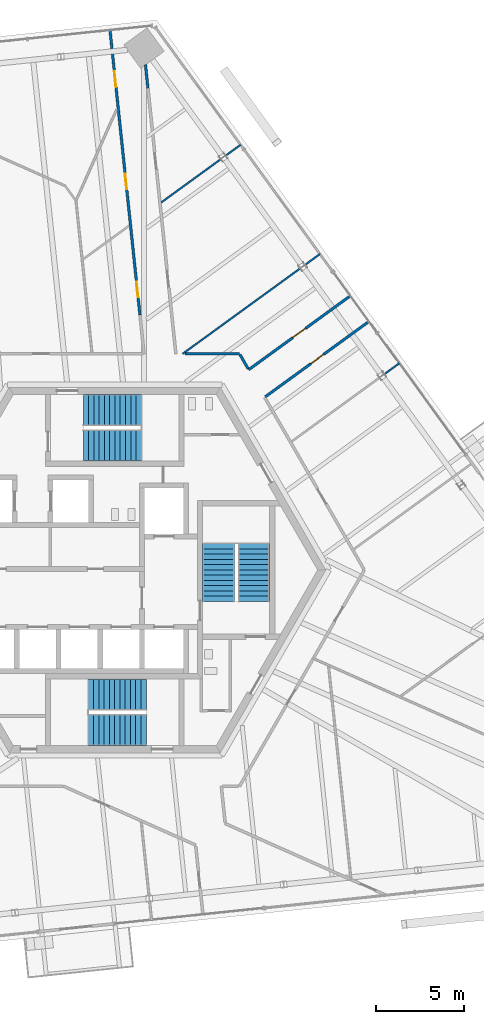
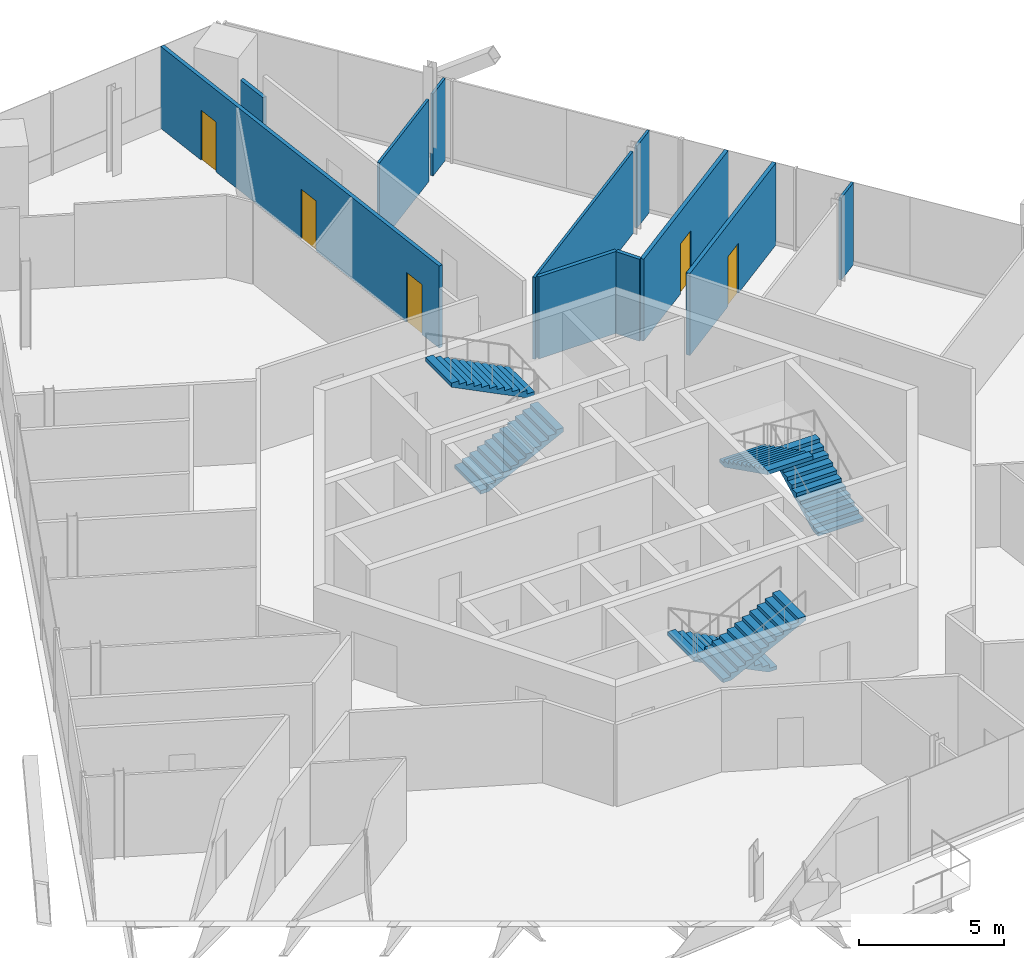
# One storey, part 15 of 19: 11 walls, 6 stair flights, 5 doors, 5 openings, 3 elements without a shape of their own.
"""IFC4 building model written with IfcOpenShell, lengths in metres."""

from ifc_helpers import new_model, si_unit, direction, frame, frame_2d, origin, place, context, subcontext, project, spatial, polyline, rectangle, outline, extrude, source, transform, mapped, material, layer, layer_set, type_object, element, fill, aggregate, save


model = new_model("IFC4")

# Units and contexts
model_context = context("Model", 3, precision=1e-05, world=origin(), true_north=direction((0.0, 1.0)))
body_context = subcontext(model_context, "Body", "Model", "MODEL_VIEW")
ifc_project = project(units=[si_unit("LENGTHUNIT", "METRE"), si_unit("AREAUNIT", "SQUARE_METRE"), si_unit("VOLUMEUNIT", "CUBIC_METRE"), si_unit("PLANEANGLEUNIT", "RADIAN"), si_unit("MASSUNIT", "GRAM", prefix="KILO")], contexts=[model_context])

# Site, building, storey
site_placement = place(None, origin())
site = spatial("IfcSite", under=ifc_project, at=site_placement, CompositionType="ELEMENT")
building_placement = place(site_placement, origin())
building = spatial("IfcBuilding", under=site, at=building_placement, Name="Triune Harvest Tower", CompositionType="ELEMENT")
storey_placement = place(building_placement, frame((0.0, 0.0, 223.300048828125)))
storey = spatial("IfcBuildingStorey", under=building, at=storey_placement, Name="L58", CompositionType="ELEMENT", Elevation=223.300048828125)

# Wall, openings, doors
ifc_material_1 = material(Name="Gypsum board on steel studs", Category="steel")
ifc_layer_1 = layer(ifc_material_1, 0.14990234375)
ifc_layer_set_1 = layer_set([ifc_layer_1], Name="Gypsum board on steel studs")
wall_type_1 = type_object("IfcWallType", Name="Fire Partition 150 mm", PredefinedType="PARTITIONING", material=ifc_layer_set_1)
wall_1_placement = place(storey_placement, frame((-0.270751953125, 30.701416015625, 0.0), z_axis=(0.0, 0.0, 1.0), x_axis=(0.104512308256, -0.994523593196, 0.0)))
wall_1 = element("IfcWall", 1, at=wall_1_placement, inside=storey, type_object=wall_type_1, Name="Partition L58 004", PredefinedType="PARTITIONING", context=body_context, shape_type="SweptSolid", body=[
    extrude(rectangle(XDim=16.2841796875, YDim=0.14990234375, at=frame_2d((8.14208984375, 0.0))), origin(), (0.0, 0.0, 1.0), 3.43994140625),
])
opening_1_placement = place(wall_1_placement, frame((14.37939453125, 0.0, 0.0)))
opening_1 = element("IfcOpeningElement", 2, at=opening_1_placement, cuts=wall_1, Name="Opening L58-006", PredefinedType="OPENING", context=body_context, shape_type="SweptSolid", body=[
    extrude(rectangle(XDim=0.89990234375, YDim=2.10009765625, at=frame_2d((0.449951171875, 1.050048828125))), frame((0.0, 0.0849609375, 0.0), z_axis=(0.0, -1.0, 0.0), x_axis=(1.0, 0.0, 0.0)), (0.0, 0.0, 1.0), 0.169921875),
])
opening_2_placement = place(wall_1_placement, frame((8.2021484375, 0.0, 0.0)))
opening_2 = element("IfcOpeningElement", 3, at=opening_2_placement, cuts=wall_1, Name="Opening L58-008", PredefinedType="OPENING", context=body_context, shape_type="SweptSolid", body=[
    extrude(rectangle(XDim=0.89990234375, YDim=2.10009765625, at=frame_2d((0.449951171875, 1.050048828125))), frame((0.0, 0.0849609375, 0.0), z_axis=(0.0, -1.0, 0.0), x_axis=(1.0, 0.0, 0.0)), (0.0, 0.0, 1.0), 0.169921875),
])
opening_3_placement = place(wall_1_placement, frame((2.35009765625, 0.0, 0.0)))
opening_3 = element("IfcOpeningElement", 4, at=opening_3_placement, cuts=wall_1, Name="Opening L58-010", PredefinedType="OPENING", context=body_context, shape_type="SweptSolid", body=[
    extrude(rectangle(XDim=0.89990234375, YDim=2.10009765625, at=frame_2d((0.449951171875, 1.050048828125))), frame((0.0, 0.0849609375, 0.0), z_axis=(0.0, -1.0, 0.0), x_axis=(1.0, 0.0, 0.0)), (0.0, 0.0, 1.0), 0.169921875),
])
ifc_material_2 = material(Name="Timber and steel door set", Category="steel")
door_type_1 = type_object("IfcDoorType", Name="Single leaf door FD30 left hand 900 x 2100", OperationType="SINGLE_SWING_LEFT", PredefinedType="DOOR", material=ifc_material_2)
door_1_placement = place(opening_1_placement, origin())
door_1 = element("IfcDoor", 5, at=door_1_placement, inside=storey, type_object=door_type_1, Name="Door L58-006 Open Office 58.06", OperationType="SINGLE_SWING_LEFT", OverallHeight=2.10009765625, OverallWidth=0.89990234375, PredefinedType="DOOR", context=body_context, shape_type="SweptSolid", body=[
    extrude(rectangle(XDim=0.89990234375, YDim=2.10009765625, at=frame_2d((0.449951171875, 1.050048828125))), frame((0.0, 0.02490234375, 0.0), z_axis=(0.0, -1.0, 0.0), x_axis=(1.0, 0.0, 0.0)), (0.0, 0.0, 1.0), 0.050048828125),
])
fill(opening_1, door_1)
ifc_material_3 = material(Name="Timber and steel door set", Category="steel")
door_type_2 = type_object("IfcDoorType", Name="Single leaf door FD30 right hand 900 x 2100", OperationType="SINGLE_SWING_RIGHT", PredefinedType="DOOR", material=ifc_material_3)
door_2_placement = place(opening_2_placement, origin())
door_2 = element("IfcDoor", 6, at=door_2_placement, inside=storey, type_object=door_type_2, Name="Door L58-008 Office 58.08", OperationType="SINGLE_SWING_RIGHT", OverallHeight=2.10009765625, OverallWidth=0.89990234375, PredefinedType="DOOR", context=body_context, shape_type="SweptSolid", body=[
    extrude(rectangle(XDim=0.89990234375, YDim=2.10009765625, at=frame_2d((0.449951171875, 1.050048828125))), frame((0.0, 0.02490234375, 0.0), z_axis=(0.0, -1.0, 0.0), x_axis=(1.0, 0.0, 0.0)), (0.0, 0.0, 1.0), 0.050048828125),
])
fill(opening_2, door_2)
door_3_placement = place(opening_3_placement, origin())
door_3 = element("IfcDoor", 7, at=door_3_placement, inside=storey, type_object=door_type_2, Name="Door L58-010 Project Room 58.10", OperationType="SINGLE_SWING_RIGHT", OverallHeight=2.10009765625, OverallWidth=0.89990234375, PredefinedType="DOOR", context=body_context, shape_type="SweptSolid", body=[
    extrude(rectangle(XDim=0.89990234375, YDim=2.10009765625, at=frame_2d((0.449951171875, 1.050048828125))), frame((0.0, 0.02490234375, 0.0), z_axis=(0.0, -1.0, 0.0), x_axis=(1.0, 0.0, 0.0)), (0.0, 0.0, 1.0), 0.050048828125),
])
fill(opening_3, door_3)

# Walls
wall_2_placement = place(storey_placement, frame((7.121826171875, 12.249267578125, 0.0), z_axis=(0.0, 0.0, 1.0), x_axis=(0.499813447764, -0.866133082981, 0.0)))
element("IfcWall", 8, at=wall_2_placement, inside=storey, type_object=wall_type_1, Name="Partition L58 011", PredefinedType="PARTITIONING", context=body_context, shape_type="SweptSolid", body=[
    extrude(rectangle(XDim=0.928955078125, YDim=0.14990234375, at=frame_2d((0.46435546875, 0.0))), origin(), (0.0, 0.0, 1.0), 3.43994140625),
])
ifc_material_4 = material(Name="Gypsum board on steel studs", Category="steel")
ifc_layer_2 = layer(ifc_material_4, 0.10009765625)
ifc_layer_set_2 = layer_set([ifc_layer_2], Name="Gypsum board on steel studs")
wall_type_2 = type_object("IfcWallType", Name="Partition 100 mm", PredefinedType="PARTITIONING", material=ifc_layer_set_2)
shared_shape_1 = source(origin(), body_context, "Body", "SweptSolid", [
    extrude(rectangle(XDim=4.189697265625, YDim=0.10009765625, at=frame_2d((2.0947265625, 0.0))), origin(), (0.0, 0.0, 1.0), 3.43994140625),
])
wall_3_placement = place(storey_placement, frame((2.646728515625, 20.90771484375, 0.0), z_axis=(0.0, 0.0, 1.0), x_axis=(0.809025763108, 0.587773182978, 0.0)))
element("IfcWall", 9, at=wall_3_placement, inside=storey, type_object=wall_type_2, Name="Partition L58 054", PredefinedType="PARTITIONING", context=body_context, shape_type="MappedRepresentation", body=[
    mapped(shared_shape_1, transform((0.0, 0.0, 0.0), scale=1.0)),
])
shared_shape_2 = source(origin(), body_context, "Body", "SweptSolid", [
    extrude(rectangle(XDim=1.0478515625, YDim=0.10009765625, at=frame_2d((0.52392578125, 0.0))), origin(), (0.0, 0.0, 1.0), 3.43994140625),
])
for number, where, z_axis, x_axis, name in (
    (10, (15.335205078125, 11.14208984375, 0.0), (0.0, 0.0, 1.0), (0.808967759712, 0.587853012025, 0.0), "Partition L58 045"),
    (11, (10.821533203125, 17.354736328125, 0.0), (0.0, 0.0, 1.0), (0.808967759712, 0.587853012025, 0.0), "Partition L58 052"),
    (12, (6.307861328125, 23.5673828125, 0.0), (0.0, 0.0, 1.0), (0.808967759712, 0.587853012025, 0.0), "Partition L58 055"),
):
    element("IfcWall", number, at=place(storey_placement, frame(where, z_axis=z_axis, x_axis=x_axis)), inside=storey, type_object=wall_type_2, Name=name, PredefinedType="PARTITIONING", context=body_context, shape_type="MappedRepresentation", body=[
        mapped(shared_shape_2, transform((0.0, 0.0, 0.0), scale=1.0)),
    ])
shared_shape_3 = source(origin(), body_context, "Body", "SweptSolid", [
    extrude(rectangle(XDim=1.342041015625, YDim=0.14990234375, at=frame_2d((0.6708984375, 0.0))), origin(), (0.0, 0.0, 1.0), 2.525634765625),
])
wall_4_placement = place(storey_placement, frame((1.744873046875, 28.7373046875, 0.0), z_axis=(0.0, 0.0, 1.0), x_axis=(0.104599559478, -0.994514420286, 0.0)))
element("IfcWall", 13, at=wall_4_placement, inside=storey, type_object=wall_type_1, Name="Partition L58 006", PredefinedType="PARTITIONING", context=body_context, shape_type="MappedRepresentation", body=[
    mapped(shared_shape_3, transform((0.0, 0.0, 0.0), scale=1.0)),
])
shared_shape_4 = source(origin(), body_context, "Body", "SweptSolid", [
    extrude(rectangle(XDim=8.277099609375, YDim=0.10009765625, at=frame_2d((4.138671875, 0.0))), origin(), (0.0, 0.0, 1.0), 3.43994140625),
])
wall_5_placement = place(storey_placement, frame((3.853759765625, 12.292236328125, 0.0), z_axis=(0.0, 0.0, 1.0), x_axis=(0.809011502535, 0.587792811088, 0.0)))
element("IfcWall", 14, at=wall_5_placement, inside=storey, type_object=wall_type_2, Name="Partition L58 051", PredefinedType="PARTITIONING", context=body_context, shape_type="MappedRepresentation", body=[
    mapped(shared_shape_4, transform((0.0, 0.0, 0.0), scale=1.0)),
])
shared_shape_5 = source(origin(), body_context, "Body", "SweptSolid", [
    extrude(rectangle(XDim=3.093017578125, YDim=0.14990234375, at=frame_2d((1.54638671875, 0.0))), origin(), (0.0, 0.0, 1.0), 3.43994140625),
])
wall_6_placement = place(storey_placement, frame((4.00390625, 12.292236328125, 0.0), z_axis=(0.0, 0.0, 1.0), x_axis=(1.0, 0.0, 0.0)))
element("IfcWall", 15, at=wall_6_placement, inside=storey, type_object=wall_type_1, Name="Partition L58 037", PredefinedType="PARTITIONING", context=body_context, shape_type="MappedRepresentation", body=[
    mapped(shared_shape_5, transform((0.0, 0.0, 0.0), scale=1.0)),
])

# Wall, opening, door
shared_shape_6 = source(origin(), body_context, "Body", "SweptSolid", [
    extrude(rectangle(XDim=7.284423828125, YDim=0.14990234375, at=frame_2d((3.64208984375, 0.0))), origin(), (0.0, 0.0, 1.0), 3.43994140625),
])
wall_7_placement = place(storey_placement, frame((8.56201171875, 9.8544921875, 0.0), z_axis=(0.0, 0.0, 1.0), x_axis=(0.809017155079, 0.587785031102, 0.0)))
wall_7 = element("IfcWall", 16, at=wall_7_placement, inside=storey, type_object=wall_type_1, Name="Partition L58 047", PredefinedType="PARTITIONING", context=body_context, shape_type="MappedRepresentation", body=[
    mapped(shared_shape_6, transform((0.0, 0.0, 0.0), scale=1.0)),
])
opening_4_placement = place(wall_7_placement, frame((3.199951171875, 0.0, 0.0)))
opening_4 = element("IfcOpeningElement", 17, at=opening_4_placement, cuts=wall_7, Name="Opening L58-005", PredefinedType="OPENING", context=body_context, shape_type="SweptSolid", body=[
    extrude(rectangle(XDim=0.89990234375, YDim=2.10009765625, at=frame_2d((0.449951171875, 1.050048828125))), frame((0.0, 0.0849609375, 0.0), z_axis=(0.0, -1.0, 0.0), x_axis=(1.0, 0.0, 0.0)), (0.0, 0.0, 1.0), 0.169921875),
])
door_4_placement = place(opening_4_placement, origin())
door_4 = element("IfcDoor", 18, at=door_4_placement, inside=storey, type_object=door_type_1, Name="Door L58-005 Office 58.05", OperationType="SINGLE_SWING_LEFT", OverallHeight=2.10009765625, OverallWidth=0.89990234375, PredefinedType="DOOR", context=body_context, shape_type="SweptSolid", body=[
    extrude(rectangle(XDim=0.89990234375, YDim=2.10009765625, at=frame_2d((0.449951171875, 1.050048828125))), frame((0.0, 0.02490234375, 0.0), z_axis=(0.0, -1.0, 0.0), x_axis=(1.0, 0.0, 0.0)), (0.0, 0.0, 1.0), 0.050048828125),
])
fill(opening_4, door_4)

shared_shape_7 = source(origin(), body_context, "Body", "SweptSolid", [
    extrude(rectangle(XDim=7.1455078125, YDim=0.14990234375, at=frame_2d((3.57275390625, 0.0))), origin(), (0.0, 0.0, 1.0), 3.43994140625),
])
wall_8_placement = place(storey_placement, frame((7.6162109375, 11.392578125, 0.0), z_axis=(0.0, 0.0, 1.0), x_axis=(0.809018196341, 0.587783597924, 0.0)))
wall_8 = element("IfcWall", 19, at=wall_8_placement, inside=storey, type_object=wall_type_1, Name="Partition L58 050", PredefinedType="PARTITIONING", context=body_context, shape_type="MappedRepresentation", body=[
    mapped(shared_shape_7, transform((0.0, 0.0, 0.0), scale=1.0)),
])
opening_5_placement = place(wall_8_placement, frame((3.095458984375, 0.0, 0.0)))
opening_5 = element("IfcOpeningElement", 20, at=opening_5_placement, cuts=wall_8, Name="Opening L58-004", PredefinedType="OPENING", context=body_context, shape_type="SweptSolid", body=[
    extrude(rectangle(XDim=0.89990234375, YDim=2.10009765625, at=frame_2d((0.449951171875, 1.050048828125))), frame((0.0, 0.0849609375, 0.0), z_axis=(0.0, -1.0, 0.0), x_axis=(1.0, 0.0, 0.0)), (0.0, 0.0, 1.0), 0.169921875),
])
door_5_placement = place(opening_5_placement, origin())
door_5 = element("IfcDoor", 21, at=door_5_placement, inside=storey, type_object=door_type_1, Name="Door L58-004 Meeting Room 58.04", OperationType="SINGLE_SWING_LEFT", OverallHeight=2.10009765625, OverallWidth=0.89990234375, PredefinedType="DOOR", context=body_context, shape_type="SweptSolid", body=[
    extrude(rectangle(XDim=0.89990234375, YDim=2.10009765625, at=frame_2d((0.449951171875, 1.050048828125))), frame((0.0, 0.02490234375, 0.0), z_axis=(0.0, -1.0, 0.0), x_axis=(1.0, 0.0, 0.0)), (0.0, 0.0, 1.0), 0.050048828125),
])
fill(opening_5, door_5)

# Stair, stair flights
ifc_material_5 = material(Name="Concrete 40 MPa", Category="concrete")
stair_type = type_object("IfcStairType", Name="Exit stair 1800 half turn", PredefinedType="HALF_TURN_STAIR", material=ifc_material_5)
stair_1_placement = place(storey_placement, origin())
stair_1 = element("IfcStair", 22, at=stair_1_placement, inside=storey, type_object=stair_type, Name="Exit stair north", PredefinedType="HALF_TURN_STAIR")
ifc_material_6 = material(Name="Concrete 40 MPa", Category="concrete")
stair_flight_type = type_object("IfcStairFlightType", Name="Stair flight 1800", PredefinedType="STRAIGHT", material=ifc_material_6)
shared_shape_8 = source(origin(), body_context, "Body", "SweptSolid", [
    extrude(outline(polyline([(0.0, 0.0), (0.0, 0.14990234375), (0.300048828125, 0.14990234375), (0.300048828125, 0.300048828125), (0.60009765625, 0.300048828125), (0.60009765625, 0.449951171875), (0.89990234375, 0.449951171875), (0.89990234375, 0.60009765625), (1.199951171875, 0.60009765625), (1.199951171875, 0.75), (1.5, 0.75), (1.5, 0.89990234375), (1.800048828125, 0.89990234375), (1.800048828125, 1.050048828125), (2.10009765625, 1.050048828125), (2.10009765625, 1.199951171875), (2.39990234375, 1.199951171875), (2.39990234375, 1.35009765625), (2.699951171875, 1.35009765625), (2.699951171875, 1.5), (3.0, 1.5), (3.0, 1.64990234375), (3.300048828125, 1.64990234375), (3.300048828125, 1.800048828125), (3.300048828125, 1.482421875), (0.335205078125, 0.0), (0.0, 0.0)])), frame((0.0, 0.89990234375, 0.0), z_axis=(0.0, -1.0, 0.0), x_axis=(1.0, 0.0, 0.0)), (0.0, 0.0, 1.0), 1.800048828125),
])
stair_flight_1_placement = place(storey_placement, frame((-1.7900390625, 7.090087890625, 0.0), z_axis=(0.0, 0.0, 1.0), x_axis=(1.0, 0.0, 0.0)))
stair_flight_1 = element("IfcStairFlight", 23, at=stair_flight_1_placement, type_object=stair_flight_type, Name="ST-1 flight 1", NumberOfRisers=12, NumberOfTreads=11, PredefinedType="STRAIGHT", RiserHeight=0.15, TreadLength=0.3, context=body_context, shape_type="MappedRepresentation", body=[
    mapped(shared_shape_8, transform((0.0, 0.0, 0.0), scale=1.0)),
])
stair_flight_2_placement = place(storey_placement, frame((1.510009765625, 9.090087890625, 1.800048828125), z_axis=(0.0, 0.0, 1.0), x_axis=(-1.0, 0.0, 0.0)))
stair_flight_2 = element("IfcStairFlight", 24, at=stair_flight_2_placement, type_object=stair_flight_type, Name="ST-1 flight 2", NumberOfRisers=12, NumberOfTreads=11, PredefinedType="STRAIGHT", RiserHeight=0.15, TreadLength=0.3, context=body_context, shape_type="MappedRepresentation", body=[
    mapped(shared_shape_8, transform((0.0, 0.0, 0.0), scale=1.0)),
])
aggregate(stair_1, [stair_flight_1, stair_flight_2])

stair_2_placement = place(storey_placement, origin())
stair_2 = element("IfcStair", 25, at=stair_2_placement, inside=storey, type_object=stair_type, Name="Exit stair south", PredefinedType="HALF_TURN_STAIR")
stair_flight_3_placement = place(storey_placement, frame((1.7900390625, -7.090087890625, 0.0), z_axis=(0.0, 0.0, 1.0), x_axis=(-1.0, 0.0, 0.0)))
stair_flight_3 = element("IfcStairFlight", 26, at=stair_flight_3_placement, type_object=stair_flight_type, Name="ST-2 flight 1", NumberOfRisers=12, NumberOfTreads=11, PredefinedType="STRAIGHT", RiserHeight=0.15, TreadLength=0.3, context=body_context, shape_type="MappedRepresentation", body=[
    mapped(shared_shape_8, transform((0.0, 0.0, 0.0), scale=1.0)),
])
stair_flight_4_placement = place(storey_placement, frame((-1.510009765625, -9.090087890625, 1.800048828125), z_axis=(0.0, 0.0, 1.0), x_axis=(1.0, 0.0, 0.0)))
stair_flight_4 = element("IfcStairFlight", 27, at=stair_flight_4_placement, type_object=stair_flight_type, Name="ST-2 flight 2", NumberOfRisers=12, NumberOfTreads=11, PredefinedType="STRAIGHT", RiserHeight=0.15, TreadLength=0.3, context=body_context, shape_type="MappedRepresentation", body=[
    mapped(shared_shape_8, transform((0.0, 0.0, 0.0), scale=1.0)),
])
aggregate(stair_2, [stair_flight_3, stair_flight_4])

stair_3_placement = place(storey_placement, origin())
stair_3 = element("IfcStair", 28, at=stair_3_placement, inside=storey, type_object=stair_type, Name="Exit stair east", PredefinedType="HALF_TURN_STAIR")
stair_flight_5_placement = place(storey_placement, frame((7.89990234375, -1.7900390625, 0.0), z_axis=(0.0, 0.0, 1.0), x_axis=(0.0, 1.0, 0.0)))
stair_flight_5 = element("IfcStairFlight", 29, at=stair_flight_5_placement, type_object=stair_flight_type, Name="ST-3 flight 1", NumberOfRisers=12, NumberOfTreads=11, PredefinedType="STRAIGHT", RiserHeight=0.15, TreadLength=0.3, context=body_context, shape_type="MappedRepresentation", body=[
    mapped(shared_shape_8, transform((0.0, 0.0, 0.0), scale=1.0)),
])
stair_flight_6_placement = place(storey_placement, frame((5.89990234375, 1.510009765625, 1.800048828125), z_axis=(0.0, 0.0, 1.0), x_axis=(0.0, -1.0, 0.0)))
stair_flight_6 = element("IfcStairFlight", 30, at=stair_flight_6_placement, type_object=stair_flight_type, Name="ST-3 flight 2", NumberOfRisers=12, NumberOfTreads=11, PredefinedType="STRAIGHT", RiserHeight=0.15, TreadLength=0.3, context=body_context, shape_type="MappedRepresentation", body=[
    mapped(shared_shape_8, transform((0.0, 0.0, 0.0), scale=1.0)),
])
aggregate(stair_3, [stair_flight_5, stair_flight_6])

save(model, "model.ifc")
